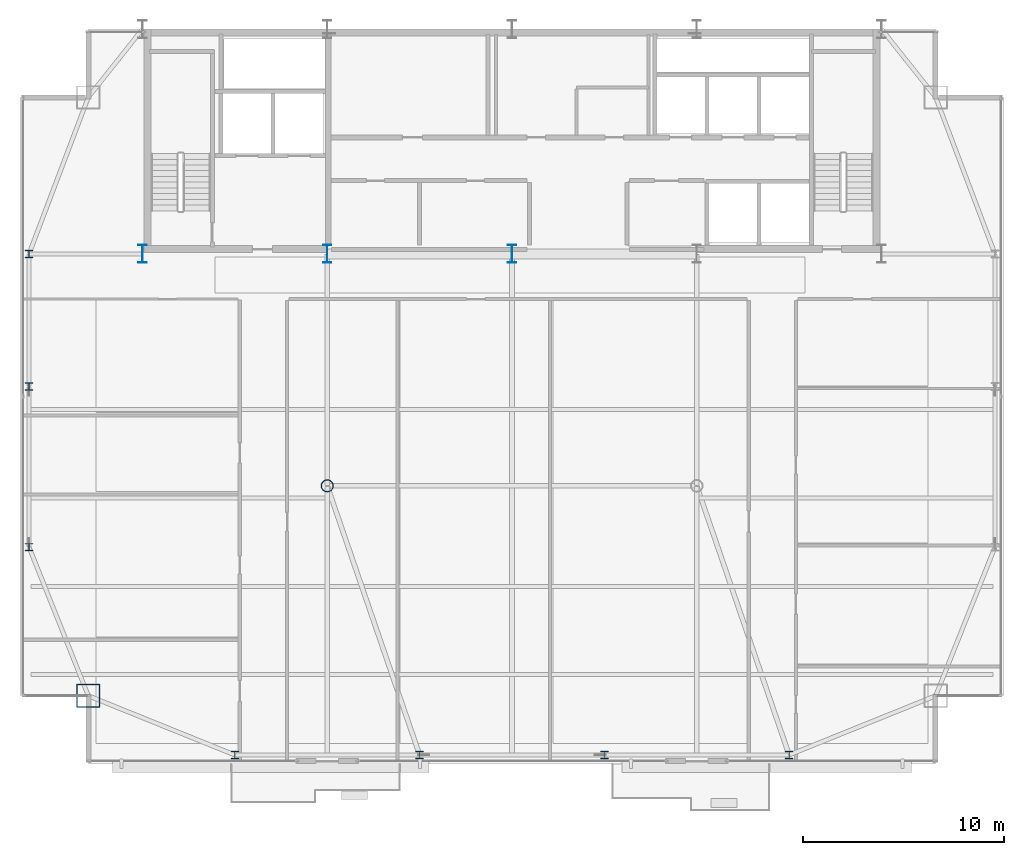
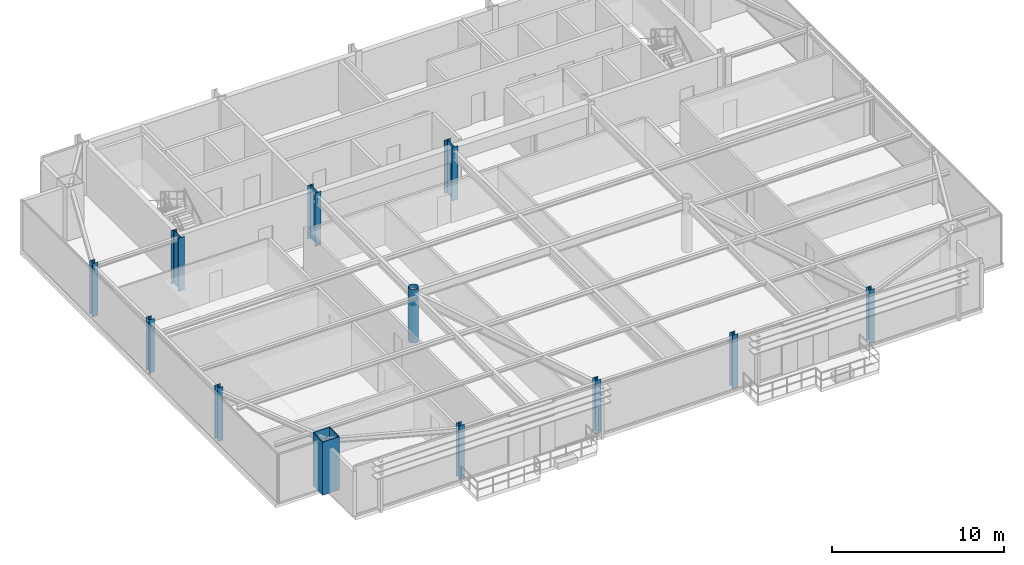
# One storey, part 1 of 30: 12 columns.
"""IFC4 building model written with IfcOpenShell, lengths in metres."""

from ifc_helpers import new_model, si_unit, direction, frame, origin, origin_2d, place, context, subcontext, project, spatial, hollow_rectangle, hollow_circle, i_section, extrude, source, transform, mapped, material, material_profile, profile_set, type_object, type_shapes, element, save


model = new_model("IFC4")

# Units and contexts
model_context = context("Model", 3, precision=1e-05, world=origin(), true_north=direction((0.0, 1.0)))
body_context = subcontext(model_context, "Body", "Model", "MODEL_VIEW")
ifc_project = project(units=[si_unit("LENGTHUNIT", "METRE"), si_unit("AREAUNIT", "SQUARE_METRE"), si_unit("VOLUMEUNIT", "CUBIC_METRE"), si_unit("PLANEANGLEUNIT", "RADIAN"), si_unit("MASSUNIT", "GRAM", prefix="KILO")], contexts=[model_context])

# Site, building, storey
site_placement = place(None, origin())
site = spatial("IfcSite", under=ifc_project, at=site_placement, CompositionType="ELEMENT")
building_placement = place(site_placement, origin())
building = spatial("IfcBuilding", under=site, at=building_placement, Name="Varnel Quay Broadcast Tower", CompositionType="ELEMENT")
storey_placement = place(building_placement, frame((0.0, 0.0, 211.199951171875)))
storey = spatial("IfcBuildingStorey", under=building, at=storey_placement, Name="L52", CompositionType="ELEMENT", Elevation=211.199951171875)

# Columns
ifc_material_1 = material(Name="Structural Steel CSA G40.21 350WT", Category="steel")
ifc_material_profile_1 = material_profile(ifc_material_1, i_section(OverallWidth=0.39990234375, OverallDepth=0.89990234375, WebThickness=0.01611328125, FlangeThickness=0.028076171875, FilletRadius=0.01611328125, at=origin_2d()), Name="WWF900X309")
ifc_profile_set_1 = profile_set([ifc_material_profile_1], Name="Structural Steel CSA G40.21 350WT")
column_type_1 = type_object("IfcColumnType", Name="Col_WWF900X309", PredefinedType="COLUMN", material=ifc_profile_set_1)
shared_shape_1 = source(origin(), body_context, "Body", "SweptSolid", [
    extrude(i_section(OverallWidth=0.39990234375, OverallDepth=0.89990234375, WebThickness=0.01611328125, FlangeThickness=0.028076171875, FilletRadius=0.01611328125, at=origin_2d()), origin(), (0.0, 0.0, 1.0), 3.800048828125),
])
type_shapes(column_type_1, [shared_shape_1])
for number, where, z_axis, x_axis, name in (
    (1, (15.60009765625, 35.60009765625, 0.0), (0.0, 0.0, 1.0), (1.0, 0.0, 0.0), "L52 Column CC-S1"),
    (2, (24.800048828125, 35.60009765625, 0.0), (0.0, 0.0, 1.0), (1.0, 0.0, 0.0), "L52 Column CC-S2"),
    (3, (34.0, 35.60009765625, 0.0), (0.0, 0.0, 1.0), (1.0, 0.0, 0.0), "L52 Column CC-S3"),
):
    element("IfcColumn", number, at=place(storey_placement, frame(where, z_axis=z_axis, x_axis=x_axis)), inside=storey, type_object=column_type_1, Name=name, PredefinedType="COLUMN", context=body_context, shape_type="MappedRepresentation", body=[
        mapped(shared_shape_1, transform((0.0, 0.0, 0.0), x_axis=(1.0, 0.0, 0.0), y_axis=(0.0, 1.0, 0.0), z_axis=(0.0, 0.0, 1.0), scale=1.0)),
    ])
ifc_material_profile_2 = material_profile(ifc_material_1, hollow_rectangle(XDim=1.14990234375, YDim=1.14990234375, WallThickness=0.044921875, at=origin_2d()), Name="BOX1150X1150X45")
ifc_profile_set_2 = profile_set([ifc_material_profile_2], Name="Structural Steel CSA G40.21 350WT")
column_type_2 = type_object("IfcColumnType", Name="Col_BOX1150X1150X45", PredefinedType="COLUMN", material=ifc_profile_set_2)
shared_shape_2 = source(origin(), body_context, "Body", "SweptSolid", [
    extrude(hollow_rectangle(XDim=1.14990234375, YDim=1.14990234375, WallThickness=0.044921875, at=origin_2d()), origin(), (0.0, 0.0, 1.0), 3.800048828125),
])
type_shapes(column_type_2, [shared_shape_2])
column_1_placement = place(storey_placement, frame((12.89990234375, 13.60009765625, 0.0), z_axis=(0.0, 0.0, 1.0), x_axis=(1.0, 0.0, 0.0)))
element("IfcColumn", 4, at=column_1_placement, inside=storey, type_object=column_type_2, Name="L52 Column MC-SW", PredefinedType="COLUMN", context=body_context, shape_type="MappedRepresentation", body=[
    mapped(shared_shape_2, transform((0.0, 0.0, 0.0), x_axis=(1.0, 0.0, 0.0), y_axis=(0.0, 1.0, 0.0), z_axis=(0.0, 0.0, 1.0), scale=1.0)),
])
ifc_material_2 = material(Name="Structural Steel CSA G40.21 350W", Category="steel")
ifc_material_profile_3 = material_profile(ifc_material_2, i_section(OverallWidth=0.368896484375, OverallDepth=0.35595703125, WebThickness=0.01123046875, FlangeThickness=0.01806640625, FilletRadius=0.01611328125, at=origin_2d()), Name="W360X134")
ifc_profile_set_3 = profile_set([ifc_material_profile_3], Name="Structural Steel CSA G40.21 350W")
column_type_3 = type_object("IfcColumnType", Name="Col_W360X134", PredefinedType="COLUMN", material=ifc_profile_set_3)
shared_shape_3 = source(origin(), body_context, "Body", "SweptSolid", [
    extrude(i_section(OverallWidth=0.368896484375, OverallDepth=0.35595703125, WebThickness=0.01123046875, FlangeThickness=0.01806640625, FilletRadius=0.01611328125, at=origin_2d()), origin(), (0.0, 0.0, 1.0), 3.800048828125),
])
type_shapes(column_type_3, [shared_shape_3])
for number, where, z_axis, x_axis, name in (
    (5, (20.199951171875, 10.64990234375, 0.0), (0.0, 0.0, 1.0), (1.0, 0.0, 0.0), "L52 Column TC-S1"),
    (6, (29.39990234375, 10.64990234375, 0.0), (0.0, 0.0, 1.0), (1.0, 0.0, 0.0), "L52 Column TC-S2"),
    (7, (38.60009765625, 10.64990234375, 0.0), (0.0, 0.0, 1.0), (1.0, 0.0, 0.0), "L52 Column TC-S3"),
    (8, (47.800048828125, 10.64990234375, 0.0), (0.0, 0.0, 1.0), (1.0, 0.0, 0.0), "L52 Column TC-S4"),
    (9, (9.949951171875, 21.0, 0.0), (0.0, 0.0, 1.0), (1.0, 0.0, 0.0), "L52 Column TC-W1"),
    (10, (9.949951171875, 29.0, 0.0), (0.0, 0.0, 1.0), (1.0, 0.0, 0.0), "L52 Column TC-W2"),
    (11, (9.949951171875, 35.60009765625, 0.0), (0.0, 0.0, 1.0), (1.0, 0.0, 0.0), "L52 Column TC-W3"),
):
    element("IfcColumn", number, at=place(storey_placement, frame(where, z_axis=z_axis, x_axis=x_axis)), inside=storey, type_object=column_type_3, Name=name, PredefinedType="COLUMN", context=body_context, shape_type="MappedRepresentation", body=[
        mapped(shared_shape_3, transform((0.0, 0.0, 0.0), x_axis=(1.0, 0.0, 0.0), y_axis=(0.0, 1.0, 0.0), z_axis=(0.0, 0.0, 1.0), scale=1.0)),
    ])
ifc_material_profile_4 = material_profile(ifc_material_2, hollow_circle(Radius=0.304931640625, WallThickness=0.02490234375, at=origin_2d()), Name="CHS610X25")
ifc_profile_set_4 = profile_set([ifc_material_profile_4], Name="Structural Steel CSA G40.21 350W")
column_type_4 = type_object("IfcColumnType", Name="Col_CHS610X25", PredefinedType="COLUMN", material=ifc_profile_set_4)
shared_shape_4 = source(origin(), body_context, "Body", "SweptSolid", [
    extrude(hollow_circle(Radius=0.304931640625, WallThickness=0.02490234375, at=origin_2d()), origin(), (0.0, 0.0, 1.0), 3.800048828125),
])
type_shapes(column_type_4, [shared_shape_4])
column_2_placement = place(storey_placement, frame((24.800048828125, 24.050048828125, 0.0), z_axis=(0.0, 0.0, 1.0), x_axis=(1.0, 0.0, 0.0)))
element("IfcColumn", 12, at=column_2_placement, inside=storey, type_object=column_type_4, Name="L52 Column IC-01", PredefinedType="COLUMN", context=body_context, shape_type="MappedRepresentation", body=[
    mapped(shared_shape_4, transform((0.0, 0.0, 0.0), x_axis=(1.0, 0.0, 0.0), y_axis=(0.0, 1.0, 0.0), z_axis=(0.0, 0.0, 1.0), scale=1.0)),
])

save(model, "model.ifc")
